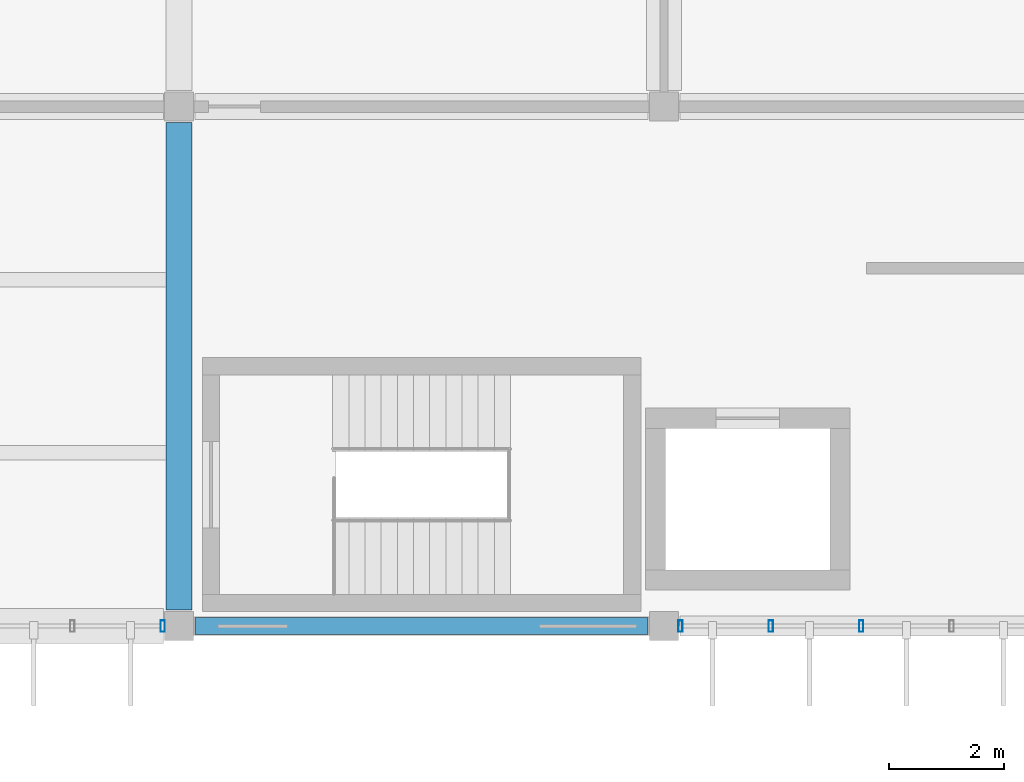
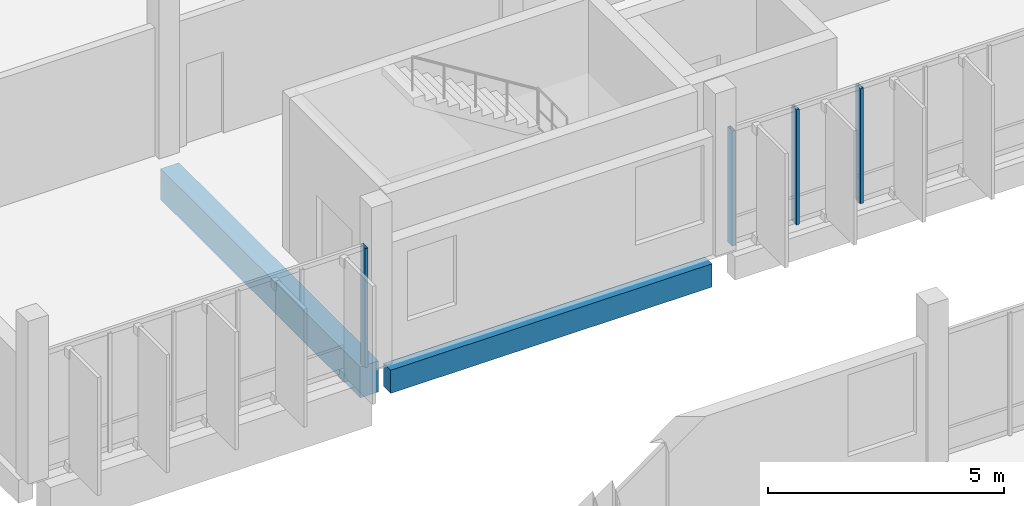
# One storey, part 38 of 107: 4 members, 2 beams, 2 elements without a shape of their own.
"""IFC4 building model written with IfcOpenShell, lengths in metres."""

from ifc_helpers import new_model, si_unit, direction, frame, origin, origin_2d, place, context, subcontext, project, spatial, rectangle, hollow_rectangle, extrude, material, layer, layer_set, material_profile, profile_set, type_object, element, aggregate, save


model = new_model("IFC4")

# Units and contexts
model_context = context("Model", 3, precision=1e-05, world=origin(), true_north=direction((0.0, 1.0)))
body_context = subcontext(model_context, "Body", "Model", "MODEL_VIEW")
ifc_project = project(units=[si_unit("LENGTHUNIT", "METRE"), si_unit("AREAUNIT", "SQUARE_METRE"), si_unit("VOLUMEUNIT", "CUBIC_METRE"), si_unit("PLANEANGLEUNIT", "RADIAN"), si_unit("MASSUNIT", "GRAM", prefix="KILO")], contexts=[model_context])

# Site, building, storey
site_placement = place(None, origin())
site = spatial("IfcSite", under=ifc_project, at=site_placement, CompositionType="ELEMENT")
building_placement = place(site_placement, origin())
building = spatial("IfcBuilding", under=site, at=building_placement, Name="Vireocrest Preparatory School", CompositionType="ELEMENT")
storey_placement = place(building_placement, frame((0.0, 0.0, 13.199951171875)))
storey = spatial("IfcBuildingStorey", under=building, at=storey_placement, Name="L03", CompositionType="ELEMENT", Elevation=13.199951171875)

# Curtain wall, member
ifc_material_1 = material(Name="Thermally broken aluminium EN AW-6063-T6", Category="aluminium")
ifc_layer_1 = layer(ifc_material_1, 0.179931640625)
ifc_layer_set_1 = layer_set([ifc_layer_1], Name="Thermally broken aluminium EN AW-6063-T6")
curtain_wall_type_1 = type_object("IfcCurtainWallType", Name="Botanical Lab Glazing 8400x3400", PredefinedType="USERDEFINED", material=ifc_layer_set_1)
curtain_wall_1_placement = place(storey_placement, origin())
curtain_wall_1 = element("IfcCurtainWall", 1, at=curtain_wall_1_placement, inside=storey, type_object=curtain_wall_type_1, Name="Curtain Wall CW15 CW_L03_CW15_0422_0948_132", ObjectType="CURTAIN WALL", PredefinedType="USERDEFINED")
ifc_material_profile_1 = material_profile(ifc_material_1, hollow_rectangle(XDim=0.074951171875, YDim=0.199951171875, WallThickness=0.0048828125, at=origin_2d()), Name="ALU 75x200x5")
ifc_profile_set_1 = profile_set([ifc_material_profile_1], Name="Thermally broken aluminium EN AW-6063-T6")
member_type = type_object("IfcMemberType", Name="CW Mullion 75x200x5", PredefinedType="MULLION", material=ifc_profile_set_1)
member_1_placement = place(storey_placement, frame((50.114990234375, 94.800048828125, 0.0), z_axis=(0.0, 0.0, 1.0), x_axis=(1.0, 0.0, 0.0)))
member_1 = element("IfcMember", 2, at=member_1_placement, type_object=member_type, Name="CW Mullion ML3 CW_L03_CW15_0422_0948_132-6", PredefinedType="MULLION", context=body_context, shape_type="SweptSolid", body=[
    extrude(hollow_rectangle(XDim=0.074951171875, YDim=0.199951171875, WallThickness=0.0048828125, at=origin_2d()), origin(), (0.0, 0.0, 1.0), 3.074951171875),
])
aggregate(curtain_wall_1, [member_1])

# Curtain wall, members
ifc_layer_2 = layer(ifc_material_1, 0.179931640625)
ifc_layer_set_2 = layer_set([ifc_layer_2], Name="Thermally broken aluminium EN AW-6063-T6")
curtain_wall_type_2 = type_object("IfcCurtainWallType", Name="Library Reading Bay Glazing 7600x4200", PredefinedType="USERDEFINED", material=ifc_layer_set_2)
curtain_wall_2_placement = place(storey_placement, origin())
curtain_wall_2 = element("IfcCurtainWall", 3, at=curtain_wall_2_placement, inside=storey, type_object=curtain_wall_type_2, Name="Curtain Wall CW16 CW_L03_CW16_0590_0948_132", ObjectType="CURTAIN WALL", PredefinedType="USERDEFINED")
member_2_placement = place(storey_placement, frame((59.0849609375, 94.800048828125, 0.0), z_axis=(0.0, 0.0, 1.0), x_axis=(1.0, 0.0, 0.0)))
member_2 = element("IfcMember", 4, at=member_2_placement, type_object=member_type, Name="CW Mullion ML3 CW_L03_CW16_0590_0948_132-1", PredefinedType="MULLION", context=body_context, shape_type="SweptSolid", body=[
    extrude(hollow_rectangle(XDim=0.074951171875, YDim=0.199951171875, WallThickness=0.0048828125, at=origin_2d()), origin(), (0.0, 0.0, 1.0), 2.97509765625),
])
member_3_placement = place(storey_placement, frame((60.65087890625, 94.800048828125, 0.0), z_axis=(0.0, 0.0, 1.0), x_axis=(1.0, 0.0, 0.0)))
member_3 = element("IfcMember", 5, at=member_3_placement, type_object=member_type, Name="CW Mullion ML3 CW_L03_CW16_0590_0948_132-2", PredefinedType="MULLION", context=body_context, shape_type="SweptSolid", body=[
    extrude(hollow_rectangle(XDim=0.074951171875, YDim=0.199951171875, WallThickness=0.0048828125, at=origin_2d()), origin(), (0.0, 0.0, 1.0), 2.97509765625),
])
member_4_placement = place(storey_placement, frame((62.217041015625, 94.800048828125, 0.0), z_axis=(0.0, 0.0, 1.0), x_axis=(1.0, 0.0, 0.0)))
member_4 = element("IfcMember", 6, at=member_4_placement, type_object=member_type, Name="CW Mullion ML3 CW_L03_CW16_0590_0948_132-3", PredefinedType="MULLION", context=body_context, shape_type="SweptSolid", body=[
    extrude(hollow_rectangle(XDim=0.074951171875, YDim=0.199951171875, WallThickness=0.0048828125, at=origin_2d()), origin(), (0.0, 0.0, 1.0), 2.97509765625),
])
aggregate(curtain_wall_2, [member_2, member_3, member_4])

# Beams
ifc_material_2 = material(Name="Concrete 40 MPa", Category="concrete")
ifc_material_profile_2 = material_profile(ifc_material_2, rectangle(XDim=0.300048828125, YDim=0.60009765625, at=origin_2d()), Name="RC 300x600")
ifc_profile_set_2 = profile_set([ifc_material_profile_2], Name="Concrete 40 MPa")
beam_type_1 = type_object("IfcBeamType", Name="RC Classroom Beam 300x600", PredefinedType="BEAM", material=ifc_profile_set_2)
beam_1_placement = place(storey_placement, frame((50.675048828125, 94.800048828125, -0.5400390625), z_axis=(1.0, 0.0, 0.0), x_axis=(0.0, 1.0, 0.0)))
element("IfcBeam", 7, at=beam_1_placement, inside=storey, type_object=beam_type_1, Name="Primary Girder B03 L03-1081", PredefinedType="BEAM", context=body_context, shape_type="SweptSolid", body=[
    extrude(rectangle(XDim=0.300048828125, YDim=0.60009765625, at=origin_2d()), origin(), (0.0, 0.0, 1.0), 7.849853515625),
])
ifc_material_profile_3 = material_profile(ifc_material_2, rectangle(XDim=0.449951171875, YDim=0.800048828125, at=origin_2d()), Name="RC 450x800")
ifc_profile_set_3 = profile_set([ifc_material_profile_3], Name="Concrete 40 MPa")
beam_type_2 = type_object("IfcBeamType", Name="RC Library Stack Girder 450x800", PredefinedType="BEAM", material=ifc_profile_set_3)
beam_2_placement = place(storey_placement, frame((50.39990234375, 95.074951171875, -0.639892578125), z_axis=(0.0, 1.0, 0.0), x_axis=(-1.0, 0.0, 0.0)))
element("IfcBeam", 8, at=beam_2_placement, inside=storey, type_object=beam_type_2, Name="Primary Girder B12 L03-1121", PredefinedType="BEAM", context=body_context, shape_type="SweptSolid", body=[
    extrude(rectangle(XDim=0.449951171875, YDim=0.800048828125, at=origin_2d()), origin(), (0.0, 0.0, 1.0), 8.449951171875),
])

save(model, "model.ifc")
